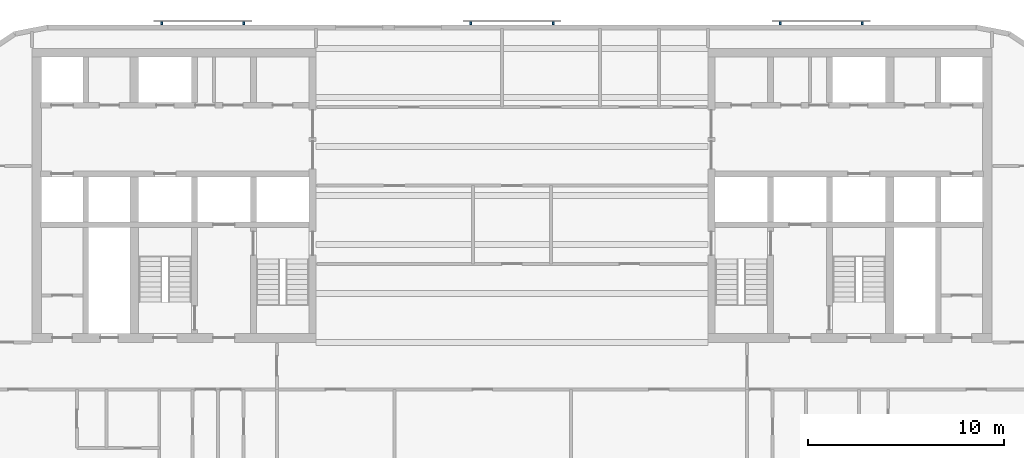
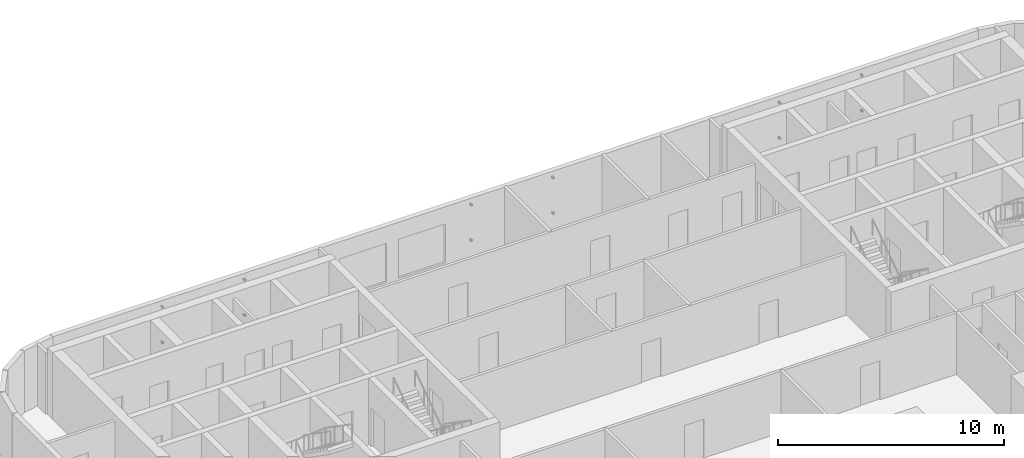
# One storey, part 8 of 11: 12 discrete accessories.
"""IFC4 building model written with IfcOpenShell, lengths in metres."""

from ifc_helpers import new_model, si_unit, direction, frame, origin, origin_2d, place, context, subcontext, project, spatial, rectangle, extrude, material, type_object, element, save


model = new_model("IFC4")

# Units and contexts
model_context = context("Model", 3, precision=1e-05, world=origin(), true_north=direction((0.0, 1.0)))
body_context = subcontext(model_context, "Body", "Model", "MODEL_VIEW")
ifc_project = project(units=[si_unit("LENGTHUNIT", "METRE"), si_unit("AREAUNIT", "SQUARE_METRE"), si_unit("VOLUMEUNIT", "CUBIC_METRE"), si_unit("PLANEANGLEUNIT", "RADIAN"), si_unit("MASSUNIT", "GRAM", prefix="KILO")], contexts=[model_context])

# Site, building, storey
site_placement = place(None, origin())
site = spatial("IfcSite", under=ifc_project, at=site_placement, CompositionType="ELEMENT")
building_placement = place(site_placement, origin())
building = spatial("IfcBuilding", under=site, at=building_placement, Name="Torana Hotel and Residences", CompositionType="ELEMENT")
storey_placement = place(building_placement, frame((0.0, 0.0, 138.0)))
storey = spatial("IfcBuildingStorey", under=building, at=storey_placement, Name="L35", CompositionType="ELEMENT", Elevation=138.0)

# Discrete accessories
ifc_material = material(Name="Steel S355", Category="steel")
discrete_accessory_type = type_object("IfcDiscreteAccessoryType", Name="SCREEN BRACKET 100", PredefinedType="BRACKET", material=ifc_material)
for number, where, z_axis, x_axis, name in (
    (1, (17.883544921875, 1.27490234375, 0.75), (0.0, 0.0, 1.0), (-1.0, 0.0, 0.0), "Screen bracket L35"),
    (2, (17.883544921875, 1.27490234375, 2.669921875), (0.0, 0.0, 1.0), (-1.0, 0.0, 0.0), "Screen bracket L35"),
    (3, (13.68359375, 1.27490234375, 0.75), (0.0, 0.0, 1.0), (-1.0, 0.0, 0.0), "Screen bracket L35"),
    (4, (13.68359375, 1.27490234375, 2.669921875), (0.0, 0.0, 1.0), (-1.0, 0.0, 0.0), "Screen bracket L35"),
    (5, (2.10009765625, 1.27490234375, 0.75), (0.0, 0.0, 1.0), (-1.0, 0.0, 0.0), "Screen bracket L35"),
    (6, (2.10009765625, 1.27490234375, 2.669921875), (0.0, 0.0, 1.0), (-1.0, 0.0, 0.0), "Screen bracket L35"),
    (7, (-2.10009765625, 1.27490234375, 0.75), (0.0, 0.0, 1.0), (-1.0, 0.0, 0.0), "Screen bracket L35"),
    (8, (-2.10009765625, 1.27490234375, 2.669921875), (0.0, 0.0, 1.0), (-1.0, 0.0, 0.0), "Screen bracket L35"),
    (9, (-13.68359375, 1.27490234375, 0.75), (0.0, 0.0, 1.0), (-1.0, 0.0, 0.0), "Screen bracket L35"),
    (10, (-13.68359375, 1.27490234375, 2.669921875), (0.0, 0.0, 1.0), (-1.0, 0.0, 0.0), "Screen bracket L35"),
    (11, (-17.883544921875, 1.27490234375, 0.75), (0.0, 0.0, 1.0), (-1.0, 0.0, 0.0), "Screen bracket L35"),
    (12, (-17.883544921875, 1.27490234375, 2.669921875), (0.0, 0.0, 1.0), (-1.0, 0.0, 0.0), "Screen bracket L35"),
):
    element("IfcDiscreteAccessory", number, at=place(storey_placement, frame(where, z_axis=z_axis, x_axis=x_axis)), inside=storey, type_object=discrete_accessory_type, Name=name, PredefinedType="BRACKET", context=body_context, shape_type="SweptSolid", body=[
        extrude(rectangle(XDim=0.10009765625, YDim=0.14990234375, at=origin_2d()), origin(), (0.0, 0.0, 1.0), 0.10009765625),
    ])

save(model, "model.ifc")
